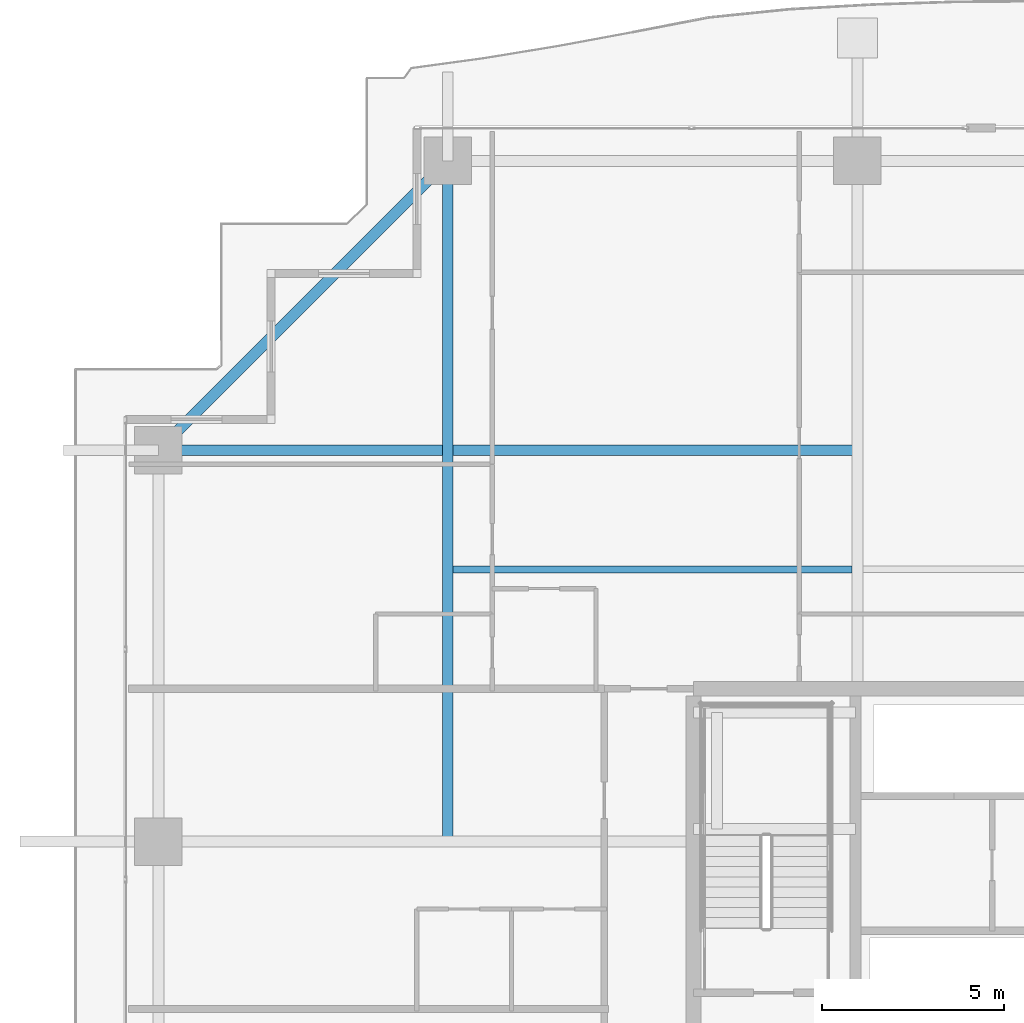
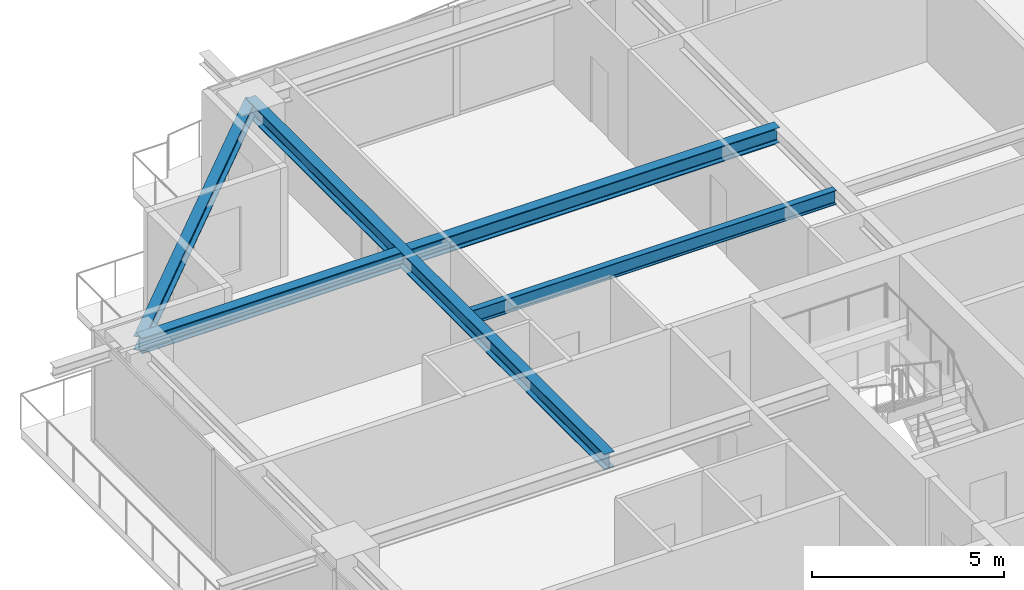
# One storey, part 15 of 33: 4 beams.
"""IFC4 building model written with IfcOpenShell, lengths in metres."""

from ifc_helpers import new_model, si_unit, direction, frame, origin, origin_2d, place, context, subcontext, project, spatial, i_section, extrude, source, transform, mapped, material, material_profile, profile_set, type_object, element, save


model = new_model("IFC4")

# Units and contexts
model_context = context("Model", 3, precision=1e-05, world=origin(), true_north=direction((0.0, 1.0)))
body_context = subcontext(model_context, "Body", "Model", "MODEL_VIEW")
ifc_project = project(units=[si_unit("LENGTHUNIT", "METRE"), si_unit("AREAUNIT", "SQUARE_METRE"), si_unit("VOLUMEUNIT", "CUBIC_METRE"), si_unit("PLANEANGLEUNIT", "RADIAN"), si_unit("MASSUNIT", "GRAM", prefix="KILO")], contexts=[model_context])

# Site, building, storey
site_placement = place(None, origin())
site = spatial("IfcSite", under=ifc_project, at=site_placement, CompositionType="ELEMENT")
building_placement = place(site_placement, origin())
building = spatial("IfcBuilding", under=site, at=building_placement, Name="Serunith Strait Residences", CompositionType="ELEMENT")
storey_placement = place(building_placement, frame((0.0, 0.0, 150.14990234375)))
storey = spatial("IfcBuildingStorey", under=building, at=storey_placement, Name="L37", CompositionType="ELEMENT", Elevation=150.14990234375)

# Beams
ifc_material = material(Name="Steel S355J2", Category="steel")
ifc_material_profile_1 = material_profile(ifc_material, i_section(OverallWidth=0.300048828125, OverallDepth=0.5, WebThickness=0.014404296875, FlangeThickness=0.028076171875, FilletRadius=0.027099609375, at=origin_2d()), Name="HEB 500")
ifc_profile_set_1 = profile_set([ifc_material_profile_1], Name="Steel S355J2")
beam_type_1 = type_object("IfcBeamType", Name="BM-HEB500", PredefinedType="BEAM", material=ifc_profile_set_1)
shared_shape_1 = source(origin(), body_context, "Body", "SweptSolid", [
    extrude(i_section(OverallWidth=0.300048828125, OverallDepth=0.5, WebThickness=0.014404296875, FlangeThickness=0.028076171875, FilletRadius=0.027099609375, at=origin_2d()), origin(), (0.0, 0.0, 1.0), 18.7001953125),
])
beam_1_placement = place(storey_placement, frame((16.64990234375, 29.39990234375, 3.237060546875), z_axis=(0.0, 1.0, 0.0), x_axis=(-1.0, 0.0, 0.0)))
element("IfcBeam", 1, at=beam_1_placement, inside=storey, type_object=beam_type_1, Name="L37 Orthogonal Corner Girder TC-N1", PredefinedType="BEAM", context=body_context, shape_type="MappedRepresentation", body=[
    mapped(shared_shape_1, transform((0.0, 0.0, 0.0), scale=1.0)),
])
shared_shape_2 = source(origin(), body_context, "Body", "SweptSolid", [
    extrude(i_section(OverallWidth=0.300048828125, OverallDepth=0.5, WebThickness=0.014404296875, FlangeThickness=0.028076171875, FilletRadius=0.027099609375, at=origin_2d()), origin(), (0.0, 0.0, 1.0), 19.199951171875),
])
beam_2_placement = place(storey_placement, frame((27.89990234375, 40.14990234375, 3.237060546875), z_axis=(-1.0, 0.0, 0.0), x_axis=(0.0, -1.0, 0.0)))
element("IfcBeam", 2, at=beam_2_placement, inside=storey, type_object=beam_type_1, Name="L37 Orthogonal Corner Girder TC-W4", PredefinedType="BEAM", context=body_context, shape_type="MappedRepresentation", body=[
    mapped(shared_shape_2, transform((0.0, 0.0, 0.0), scale=1.0)),
])
ifc_material_profile_2 = material_profile(ifc_material, i_section(OverallWidth=0.300048828125, OverallDepth=0.449951171875, WebThickness=0.013916015625, FlangeThickness=0.02587890625, FilletRadius=0.027099609375, at=origin_2d()), Name="HEB 450")
ifc_profile_set_2 = profile_set([ifc_material_profile_2], Name="Steel S355J2")
beam_type_2 = type_object("IfcBeamType", Name="BM-HEB450", PredefinedType="BEAM", material=ifc_profile_set_2)
shared_shape_3 = source(origin(), body_context, "Body", "SweptSolid", [
    extrude(i_section(OverallWidth=0.300048828125, OverallDepth=0.449951171875, WebThickness=0.013916015625, FlangeThickness=0.02587890625, FilletRadius=0.027099609375, at=origin_2d()), origin(), (0.0, 0.0, 1.0), 11.2431640625),
])
beam_3_placement = place(storey_placement, frame((16.64990234375, 48.10009765625, 3.232177734375), z_axis=(-0.707095923751, -0.707117638455, 0.0), x_axis=(0.707117638455, -0.707095923751, 0.0)))
element("IfcBeam", 3, at=beam_3_placement, inside=storey, type_object=beam_type_2, Name="L37 Perimeter Ring Beam 12", PredefinedType="BEAM", context=body_context, shape_type="MappedRepresentation", body=[
    mapped(shared_shape_3, transform((0.0, 0.0, 0.0), scale=1.0)),
])
ifc_material_profile_3 = material_profile(ifc_material, i_section(OverallWidth=0.18994140625, OverallDepth=0.449951171875, WebThickness=0.009521484375, FlangeThickness=0.0146484375, FilletRadius=0.02099609375, at=origin_2d()), Name="IPE 450")
ifc_profile_set_3 = profile_set([ifc_material_profile_3], Name="Steel S355J2")
beam_type_3 = type_object("IfcBeamType", Name="BM-IPE450", PredefinedType="JOIST", material=ifc_profile_set_3)
shared_shape_4 = source(origin(), body_context, "Body", "SweptSolid", [
    extrude(i_section(OverallWidth=0.18994140625, OverallDepth=0.449951171875, WebThickness=0.009521484375, FlangeThickness=0.0146484375, FilletRadius=0.02099609375, at=origin_2d()), origin(), (0.0, 0.0, 1.0), 10.949951171875),
])
beam_4_placement = place(storey_placement, frame((16.800048828125, 36.875, 3.26220703125), z_axis=(1.0, 0.0, 0.0), x_axis=(0.0, 1.0, 0.0)))
element("IfcBeam", 4, at=beam_4_placement, inside=storey, type_object=beam_type_3, Name="L37 Composite Floor Joist 04", PredefinedType="JOIST", context=body_context, shape_type="MappedRepresentation", body=[
    mapped(shared_shape_4, transform((0.0, 0.0, 0.0), scale=1.0)),
])

save(model, "model.ifc")
